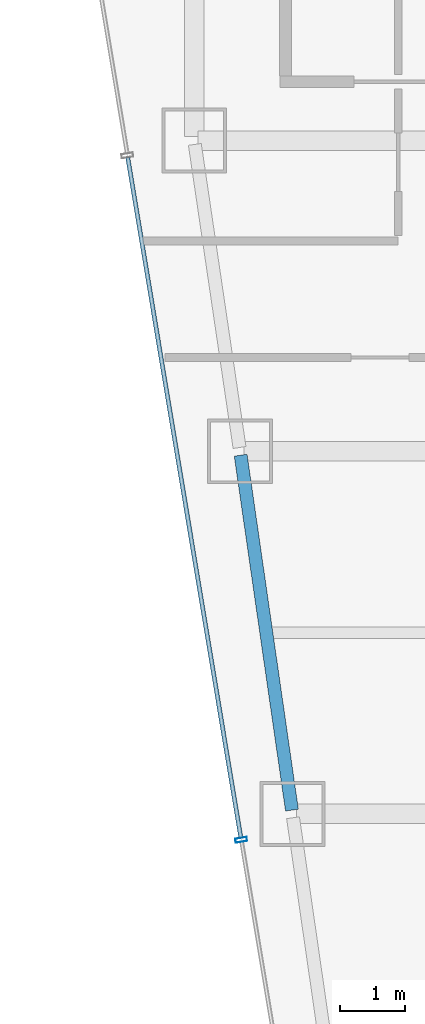
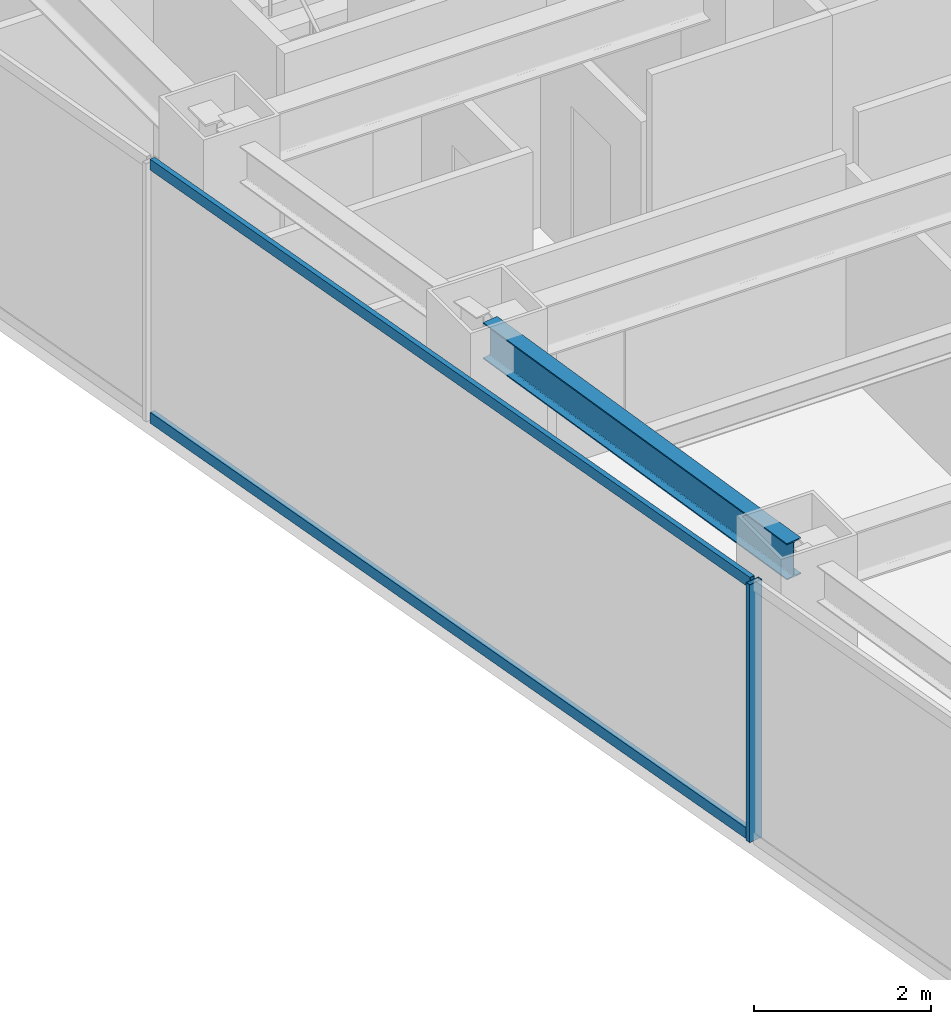
# One storey, part 9 of 37: 3 members, 1 beam, 1 element without a shape of its own.
"""IFC4 building model written with IfcOpenShell, lengths in metres."""

from ifc_helpers import new_model, si_unit, direction, frame, origin, origin_2d, place, context, subcontext, project, spatial, hollow_rectangle, i_section, extrude, material, material_profile, profile_set, type_object, element, aggregate, save


model = new_model("IFC4")

# Units and contexts
model_context = context("Model", 3, precision=1e-05, world=origin(), true_north=direction((0.0, 1.0)))
body_context = subcontext(model_context, "Body", "Model", "MODEL_VIEW")
ifc_project = project(units=[si_unit("LENGTHUNIT", "METRE"), si_unit("AREAUNIT", "SQUARE_METRE"), si_unit("VOLUMEUNIT", "CUBIC_METRE"), si_unit("PLANEANGLEUNIT", "RADIAN"), si_unit("MASSUNIT", "GRAM", prefix="KILO")], contexts=[model_context])

# Site, building, storey
site_placement = place(None, origin())
site = spatial("IfcSite", under=ifc_project, at=site_placement, CompositionType="ELEMENT")
building_placement = place(site_placement, origin())
building = spatial("IfcBuilding", under=site, at=building_placement, Name="Saevonmaru Cultural Tower", CompositionType="ELEMENT")
storey_placement = place(building_placement, frame((0.0, 0.0, 160.0)))
storey = spatial("IfcBuildingStorey", under=building, at=storey_placement, Name="L35", CompositionType="ELEMENT", Elevation=160.0)

# Beam
ifc_material_1 = material(Name="Steel SM355", Category="steel")
ifc_material_profile_1 = material_profile(ifc_material_1, i_section(OverallWidth=0.199951171875, OverallDepth=0.5, WebThickness=0.010009765625, FlangeThickness=0.01611328125, FilletRadius=0.02001953125, at=origin_2d()), Name="H-500x200x10x16")
ifc_profile_set_1 = profile_set([ifc_material_profile_1], Name="Steel SM355")
beam_type = type_object("IfcBeamType", Name="BM-SP-H500", PredefinedType="SPANDREL", material=ifc_profile_set_1)
beam_placement = place(storey_placement, frame((8.308349609375, 32.059326171875, 3.300048828125), z_axis=(-0.142964121327, 0.989727871697, 0.0), x_axis=(-0.989727871697, -0.142964121327, 0.0)))
element("IfcBeam", 1, at=beam_placement, inside=storey, type_object=beam_type, Name="L35 West Splayed Spandrel 4", PredefinedType="SPANDREL", context=body_context, shape_type="SweptSolid", body=[
    extrude(i_section(OverallWidth=0.199951171875, OverallDepth=0.5, WebThickness=0.010009765625, FlangeThickness=0.01611328125, FilletRadius=0.02001953125, at=origin_2d()), origin(), (0.0, 0.0, 1.0), 5.5380859375),
])

# Curtain wall, members
ifc_material_2 = material(Name="Satin Bronze Anodised Aluminium", Category="aluminium")
curtain_wall_type = type_object("IfcCurtainWallType", Name="CW-TYP-A", PredefinedType="NOTDEFINED", material=ifc_material_2)
curtain_wall_placement = place(storey_placement, origin())
curtain_wall = element("IfcCurtainWall", 2, at=curtain_wall_placement, inside=storey, type_object=curtain_wall_type, Name="L35 Unitised Curtain Wall E12", PredefinedType="NOTDEFINED")
ifc_material_profile_2 = material_profile(ifc_material_2, hollow_rectangle(XDim=0.06494140625, YDim=0.179931640625, WallThickness=0.00390625, at=origin_2d()), Name="ALU-MULL-180x65x4")
ifc_profile_set_2 = profile_set([ifc_material_profile_2], Name="Satin Bronze Anodised Aluminium")
member_type_1 = type_object("IfcMemberType", Name="ML-CW-180x65", PredefinedType="MULLION", material=ifc_profile_set_2)
member_1_placement = place(storey_placement, frame((7.5244140625, 31.60009765625, 0.0), z_axis=(0.0, 0.0, 1.0), x_axis=(0.163998702345, -0.986460554523, 0.0)))
member_1 = element("IfcMember", 3, at=member_1_placement, type_object=member_type_1, Name="CW-TW-L35-E12 mullion 3", PredefinedType="MULLION", context=body_context, shape_type="SweptSolid", body=[
    extrude(hollow_rectangle(XDim=0.06494140625, YDim=0.179931640625, WallThickness=0.00390625, at=origin_2d()), origin(), (0.0, 0.0, 1.0), 3.550048828125),
])
ifc_material_profile_3 = material_profile(ifc_material_2, hollow_rectangle(XDim=0.06494140625, YDim=0.14990234375, WallThickness=0.00390625, at=origin_2d()), Name="ALU-TRAN-150x65x4")
ifc_profile_set_3 = profile_set([ifc_material_profile_3], Name="Satin Bronze Anodised Aluminium")
member_type_2 = type_object("IfcMemberType", Name="TR-CW-150x65", PredefinedType="USERDEFINED", material=ifc_profile_set_3)
member_2_placement = place(storey_placement, frame((5.7724609375, 42.138427734375, 0.032470703125), z_axis=(0.163990079074, -0.9864619881, 0.0), x_axis=(0.9864619881, 0.163990079074, 0.0)))
member_2 = element("IfcMember", 4, at=member_2_placement, type_object=member_type_2, Name="CW-TW-L35-E12 transom 2.1", ObjectType="TRANSOM", PredefinedType="USERDEFINED", context=body_context, shape_type="SweptSolid", body=[
    extrude(hollow_rectangle(XDim=0.06494140625, YDim=0.14990234375, WallThickness=0.00390625, at=origin_2d()), origin(), (0.0, 0.0, 1.0), 10.650634765625),
])
member_3_placement = place(storey_placement, frame((5.7724609375, 42.138427734375, 3.517578125), z_axis=(0.163990079074, -0.9864619881, 0.0), x_axis=(0.9864619881, 0.163990079074, 0.0)))
member_3 = element("IfcMember", 5, at=member_3_placement, type_object=member_type_2, Name="CW-TW-L35-E12 transom 2.2", ObjectType="TRANSOM", PredefinedType="USERDEFINED", context=body_context, shape_type="SweptSolid", body=[
    extrude(hollow_rectangle(XDim=0.06494140625, YDim=0.14990234375, WallThickness=0.00390625, at=origin_2d()), origin(), (0.0, 0.0, 1.0), 10.650634765625),
])
aggregate(curtain_wall, [member_1, member_2, member_3])

save(model, "model.ifc")
